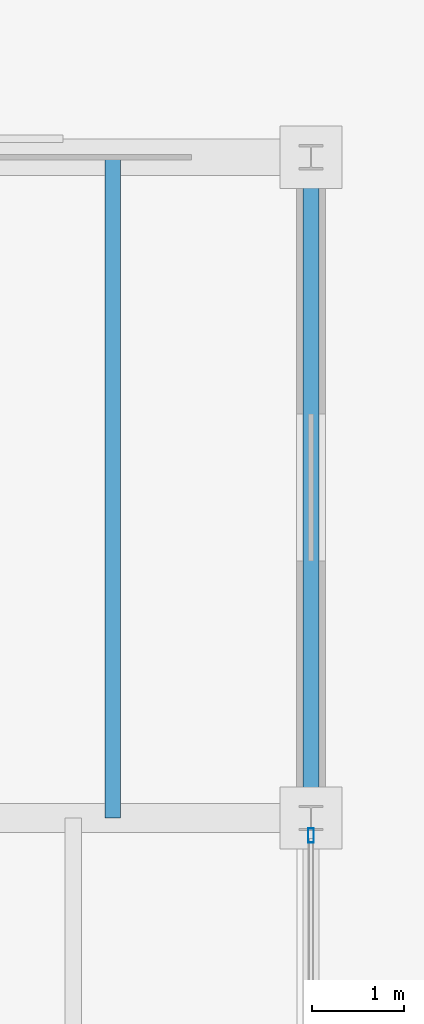
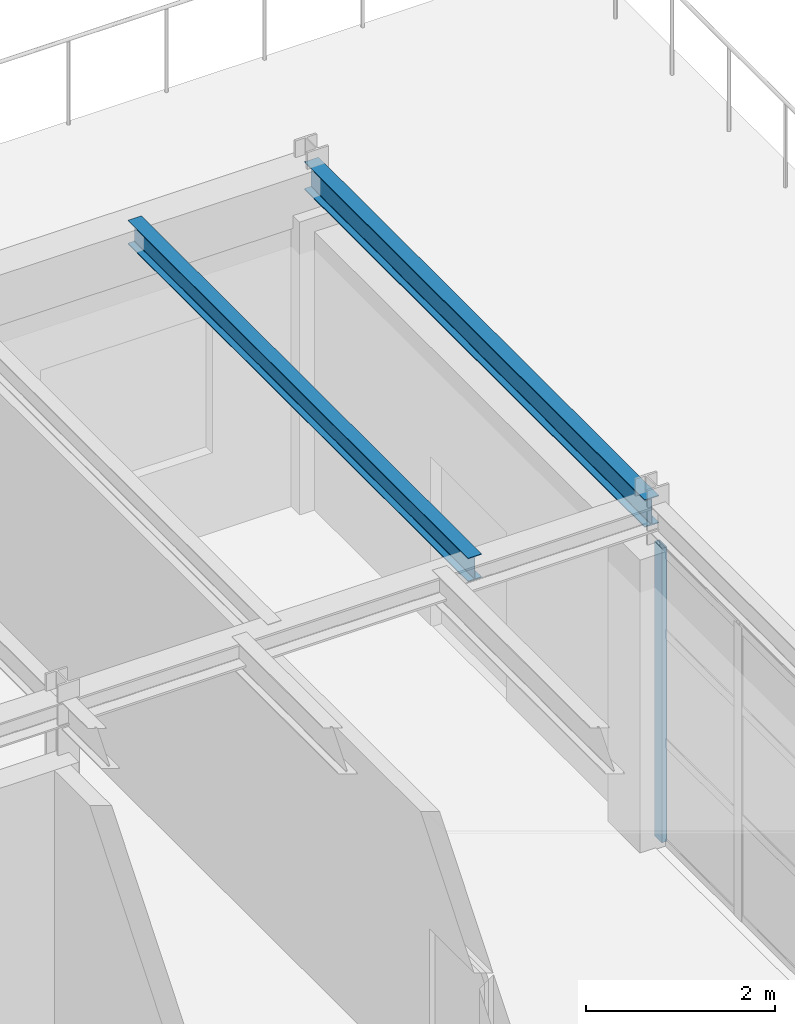
# One storey, part 77 of 101: 2 beams, 1 member, 1 element without a shape of its own.
"""IFC4 building model written with IfcOpenShell, lengths in metres."""

from ifc_helpers import new_model, si_unit, direction, frame, origin, origin_2d, place, context, subcontext, project, spatial, hollow_rectangle, i_section, extrude, material, layer, layer_set, material_profile, profile_set, type_object, element, aggregate, save


model = new_model("IFC4")

# Units and contexts
model_context = context("Model", 3, precision=1e-05, world=origin(), true_north=direction((0.0, 1.0)))
body_context = subcontext(model_context, "Body", "Model", "MODEL_VIEW")
ifc_project = project(units=[si_unit("LENGTHUNIT", "METRE"), si_unit("AREAUNIT", "SQUARE_METRE"), si_unit("VOLUMEUNIT", "CUBIC_METRE"), si_unit("PLANEANGLEUNIT", "RADIAN"), si_unit("MASSUNIT", "GRAM", prefix="KILO")], contexts=[model_context])

# Site, building, storey
site_placement = place(None, origin())
site = spatial("IfcSite", under=ifc_project, at=site_placement, CompositionType="ELEMENT")
building_placement = place(site_placement, origin())
building = spatial("IfcBuilding", under=site, at=building_placement, Name="Kemerveld Promenade Tramway Depot", CompositionType="ELEMENT")
storey_placement = place(building_placement, frame((0.0, 0.0, 9.89990234375)))
storey = spatial("IfcBuildingStorey", under=building, at=storey_placement, Name="L02", CompositionType="ELEMENT", Elevation=9.89990234375)

# Beams
ifc_material_1 = material(Name="Steel S355", Category="steel")
ifc_material_profile_1 = material_profile(ifc_material_1, i_section(OverallWidth=0.172119140625, OverallDepth=0.35791015625, WebThickness=0.008056640625, FlangeThickness=0.012939453125, FilletRadius=0.01025390625, at=origin_2d()), Name="356x171x57 UB")
ifc_profile_set_1 = profile_set([ifc_material_profile_1], Name="Steel S355")
beam_type_1 = type_object("IfcBeamType", Name="BM-G08", PredefinedType="BEAM", material=ifc_profile_set_1)
beam_1_placement = place(storey_placement, frame((50.39990234375, 64.800048828125, 4.106201171875), z_axis=(0.0, 1.0, 0.0), x_axis=(-1.0, 0.0, 0.0)))
element("IfcBeam", 1, at=beam_1_placement, inside=storey, type_object=beam_type_1, Name="BMY-L02-08-K-L", PredefinedType="BEAM", context=body_context, shape_type="SweptSolid", body=[
    extrude(i_section(OverallWidth=0.172119140625, OverallDepth=0.35791015625, WebThickness=0.008056640625, FlangeThickness=0.012939453125, FilletRadius=0.01025390625, at=origin_2d()), origin(), (0.0, 0.0, 1.0), 7.199951171875),
])
ifc_material_profile_2 = material_profile(ifc_material_1, i_section(OverallWidth=0.165771484375, OverallDepth=0.306640625, WebThickness=0.006591796875, FlangeThickness=0.01171875, FilletRadius=0.0087890625, at=origin_2d()), Name="305x165x46 UB")
ifc_profile_set_2 = profile_set([ifc_material_profile_2], Name="Steel S355")
beam_type_2 = type_object("IfcBeamType", Name="BM-J01", PredefinedType="JOIST", material=ifc_profile_set_2)
beam_2_placement = place(storey_placement, frame((48.239990234375, 64.800048828125, 4.1318359375), z_axis=(0.0, 1.0, 0.0), x_axis=(-1.0, 0.0, 0.0)))
element("IfcBeam", 2, at=beam_2_placement, inside=storey, type_object=beam_type_2, Name="JST-L02-07-K-2", PredefinedType="JOIST", context=body_context, shape_type="SweptSolid", body=[
    extrude(i_section(OverallWidth=0.165771484375, OverallDepth=0.306640625, WebThickness=0.006591796875, FlangeThickness=0.01171875, FilletRadius=0.0087890625, at=origin_2d()), origin(), (0.0, 0.0, 1.0), 7.199951171875),
])

# Curtain wall, member
ifc_material_2 = material(Name="Bronze anodised aluminium and solar glass", Category="aluminium")
ifc_layer = layer(ifc_material_2, 0.159912109375)
ifc_layer_set = layer_set([ifc_layer], Name="CW-SYS-05")
curtain_wall_type = type_object("IfcCurtainWallType", Name="CW-SYS-05", PredefinedType="USERDEFINED", material=ifc_layer_set)
curtain_wall_placement = place(storey_placement, origin())
curtain_wall = element("IfcCurtainWall", 3, at=curtain_wall_placement, inside=storey, type_object=curtain_wall_type, Name="CW-L02-V5E-02", ObjectType="GLAZED_CURTAIN_WALL", PredefinedType="USERDEFINED")
ifc_material_3 = material(Name="Bronze anodised aluminium", Category="aluminium")
ifc_material_profile_3 = material_profile(ifc_material_3, hollow_rectangle(XDim=0.06494140625, YDim=0.159912109375, WallThickness=0.00390625, InnerFilletRadius=0.001953125, OuterFilletRadius=0.00390625, at=origin_2d()), Name="CW-MUL-160x65")
ifc_profile_set_3 = profile_set([ifc_material_profile_3], Name="Bronze anodised aluminium")
member_type = type_object("IfcMemberType", Name="CW-MUL-A", PredefinedType="MULLION", material=ifc_profile_set_3)
member_placement = place(storey_placement, frame((50.39990234375, 64.609375, 0.0), z_axis=(0.0, 0.0, 1.0), x_axis=(1.0, 0.0, 0.0)))
member = element("IfcMember", 4, at=member_placement, type_object=member_type, Name="CW05 mullion 1", PredefinedType="MULLION", context=body_context, shape_type="SweptSolid", body=[
    extrude(hollow_rectangle(XDim=0.06494140625, YDim=0.159912109375, WallThickness=0.00390625, InnerFilletRadius=0.001953125, OuterFilletRadius=0.00390625, at=origin_2d()), origin(), (0.0, 0.0, 1.0), 3.800048828125),
])
aggregate(curtain_wall, [member])

save(model, "model.ifc")
